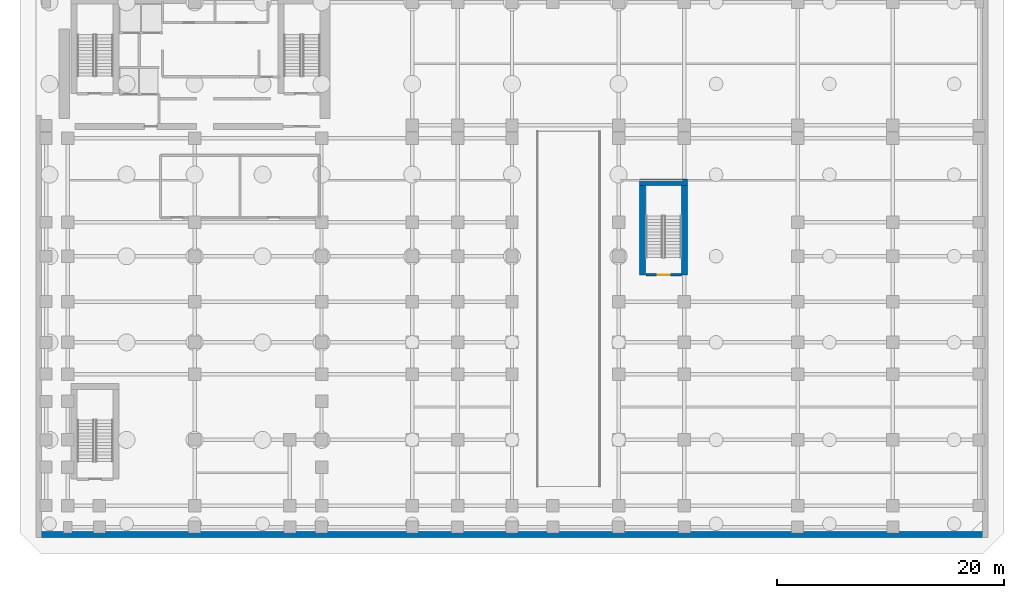
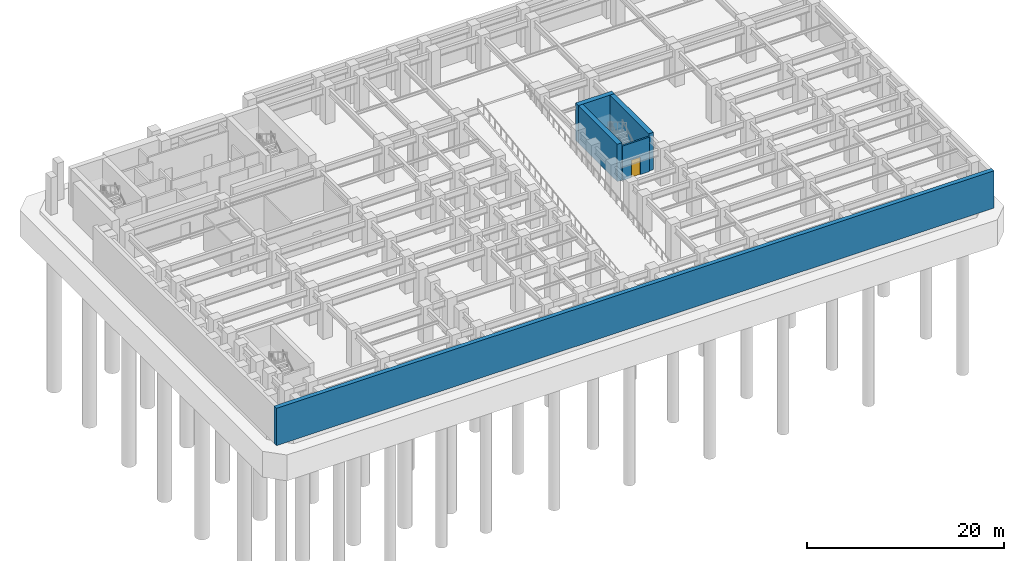
# One storey, part 7 of 13: 5 walls, 1 door, 1 opening.
"""IFC4 building model written with IfcOpenShell, lengths in metres."""

from ifc_helpers import new_model, si_unit, direction, frame, frame_2d, origin, place, context, subcontext, project, spatial, rectangle, extrude, material, layer, layer_set, type_object, element, fill, save


model = new_model("IFC4")

# Units and contexts
model_context = context("Model", 3, precision=1e-05, world=origin(), true_north=direction((0.0, 1.0)))
body_context = subcontext(model_context, "Body", "Model", "MODEL_VIEW")
ifc_project = project(units=[si_unit("LENGTHUNIT", "METRE"), si_unit("AREAUNIT", "SQUARE_METRE"), si_unit("VOLUMEUNIT", "CUBIC_METRE"), si_unit("PLANEANGLEUNIT", "RADIAN"), si_unit("MASSUNIT", "GRAM", prefix="KILO")], contexts=[model_context])

# Site, building, storey
site_placement = place(None, origin())
site = spatial("IfcSite", under=ifc_project, at=site_placement, CompositionType="ELEMENT")
building_placement = place(site_placement, origin())
building = spatial("IfcBuilding", under=site, at=building_placement, Name="Kefirva Bronze Tower", CompositionType="ELEMENT")
storey_placement = place(building_placement, frame((0.0, 0.0, -9.239990234375)))
storey = spatial("IfcBuildingStorey", under=building, at=storey_placement, Name="B2", CompositionType="ELEMENT", Elevation=-9.239990234375)

# Wall, opening, door
ifc_material_1 = material(Name="Gypsum fireboard shaftwall")
ifc_layer_1 = layer(ifc_material_1, 0.219970703125, Name="Gypsum fireboard shaftwall")
ifc_layer_set_1 = layer_set([ifc_layer_1], Name="Gypsum fireboard shaftwall")
wall_type_1 = type_object("IfcWallType", Name="Fire-Rated Shaft Enclosure Wall 220mm", PredefinedType="PARTITIONING", material=ifc_layer_set_1)
wall_1_placement = place(storey_placement, frame((51.800048828125, 21.14990234375, 0.0), z_axis=(0.0, 0.0, 1.0), x_axis=(1.0, 0.0, 0.0)))
wall_1 = element("IfcWall", 1, at=wall_1_placement, inside=storey, type_object=wall_type_1, Name="B2 Partition W-B2-ST4S", PredefinedType="PARTITIONING", context=body_context, shape_type="SweptSolid", body=[
    extrude(rectangle(XDim=3.14990234375, YDim=0.219970703125, at=frame_2d((1.574951171875, 0.0))), origin(), (0.0, 0.0, 1.0), 4.27001953125),
])
opening_placement = place(wall_1_placement, frame((2.10009765625, 0.0, 0.0), z_axis=(0.0, 0.0, 1.0), x_axis=(-1.0, 0.0, 0.0)))
opening = element("IfcOpeningElement", 2, at=opening_placement, cuts=wall_1, Name="Opening B2-D-ST4", PredefinedType="OPENING", context=body_context, shape_type="SweptSolid", body=[
    extrude(rectangle(XDim=1.050048828125, YDim=2.14990234375, at=frame_2d((0.52490234375, 1.074951171875))), frame((0.0, 0.1201171875, 0.0), z_axis=(0.0, -1.0, 0.0), x_axis=(1.0, 0.0, 0.0)), (0.0, 0.0, 1.0), 0.239990234375),
])
ifc_material_2 = material(Name="Painted galvanized steel", Category="steel")
door_type = type_object("IfcDoorType", Name="Fire Stair Enclosure Door 1050x2150 FD90S", OperationType="NOTDEFINED", PredefinedType="DOOR", material=ifc_material_2)
door_placement = place(opening_placement, origin())
door = element("IfcDoor", 3, at=door_placement, inside=storey, type_object=door_type, Name="Door B2-D-ST4", OperationType="SINGLE_SWING_RIGHT", OverallHeight=2.14990234375, OverallWidth=1.050048828125, PredefinedType="DOOR", context=body_context, shape_type="SweptSolid", body=[
    extrude(rectangle(XDim=1.050048828125, YDim=2.14990234375, at=frame_2d((0.52490234375, 1.074951171875))), frame((0.0, 0.02490234375, 0.0), z_axis=(0.0, -1.0, 0.0), x_axis=(1.0, 0.0, 0.0)), (0.0, 0.0, 1.0), 0.050048828125),
])
fill(opening, door)

# Walls
ifc_material_3 = material(Name="Concrete C40/50", Category="concrete")
ifc_layer_2 = layer(ifc_material_3, 0.5, Name="Concrete C40/50")
ifc_layer_set_2 = layer_set([ifc_layer_2], Name="Concrete C40/50")
wall_type_2 = type_object("IfcWallType", Name="RC Basement Retaining Wall 500mm", PredefinedType="SOLIDWALL", material=ifc_layer_set_2)
wall_2_placement = place(storey_placement, frame((-2.0, -1.75, 0.0), z_axis=(0.0, 0.0, 1.0), x_axis=(1.0, 0.0, 0.0)))
element("IfcWall", 4, at=wall_2_placement, inside=storey, type_object=wall_type_2, Name="B2 S Retaining Wall", PredefinedType="SOLIDWALL", context=body_context, shape_type="SweptSolid", body=[
    extrude(rectangle(XDim=84.0, YDim=0.5, at=frame_2d((42.0, 0.0))), origin(), (0.0, 0.0, 1.0), 4.619873046875),
])
ifc_material_4 = material(Name="Concrete C50/60", Category="concrete")
ifc_layer_3 = layer(ifc_material_4, 0.550048828125, Name="Concrete C50/60")
ifc_layer_set_3 = layer_set([ifc_layer_3], Name="Concrete C50/60")
wall_type_3 = type_object("IfcWallType", Name="RC Rear Core Interior Wall 550mm", PredefinedType="SHEAR", material=ifc_layer_set_3)
for number, where, z_axis, x_axis, name in (
    (5, (51.52001953125, 21.14990234375, 0.0), (0.0, 0.0, 1.0), (0.0, 1.0, 0.0), "B2 Stair 4 West Shear Wall"),
    (6, (55.219970703125, 21.14990234375, 0.0), (0.0, 0.0, 1.0), (0.0, 1.0, 0.0), "B2 Stair 4 East Shear Wall"),
):
    element("IfcWall", number, at=place(storey_placement, frame(where, z_axis=z_axis, x_axis=x_axis)), inside=storey, type_object=wall_type_3, Name=name, PredefinedType="SHEAR", context=body_context, shape_type="SweptSolid", body=[
        extrude(rectangle(XDim=7.89013671875, YDim=0.550048828125, at=frame_2d((3.945068359375, 0.0))), origin(), (0.0, 0.0, 1.0), 4.619873046875),
    ])
wall_3_placement = place(storey_placement, frame((51.25, 29.320068359375, 0.0), z_axis=(0.0, 0.0, 1.0), x_axis=(1.0, 0.0, 0.0)))
element("IfcWall", 7, at=wall_3_placement, inside=storey, type_object=wall_type_3, Name="B2 Stair 4 North Shear Wall", PredefinedType="SHEAR", context=body_context, shape_type="SweptSolid", body=[
    extrude(rectangle(XDim=4.239990234375, YDim=0.550048828125, at=frame_2d((2.1201171875, 0.0))), origin(), (0.0, 0.0, 1.0), 4.619873046875),
])

save(model, "model.ifc")
